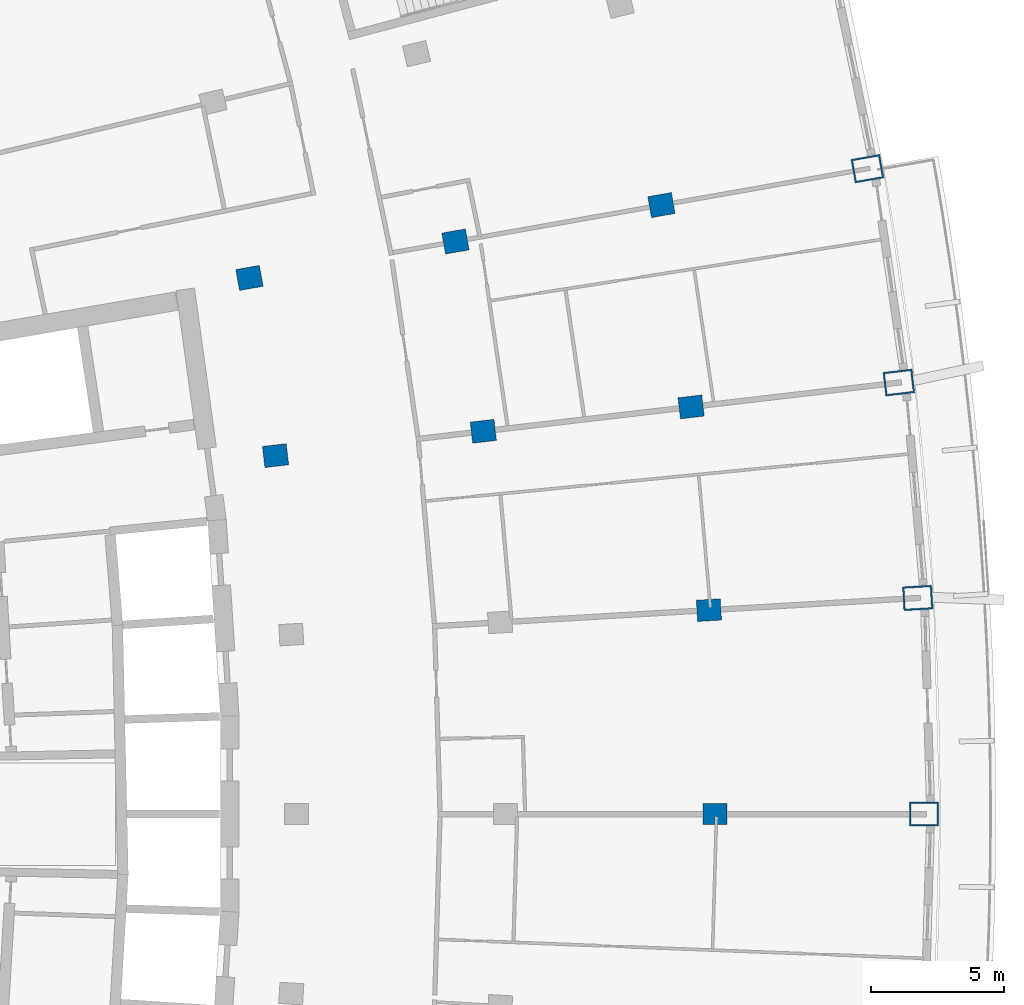
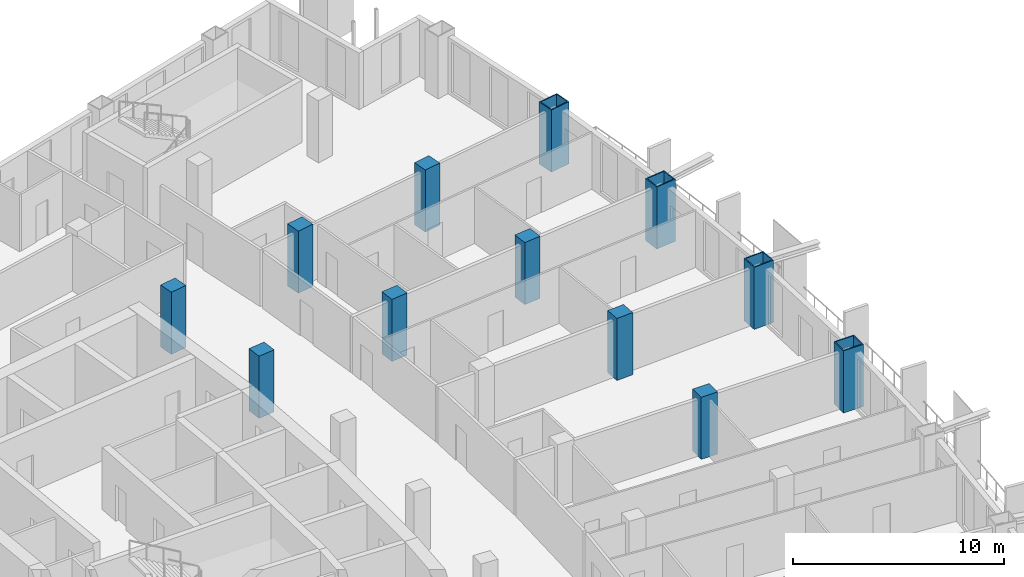
# One storey, part 6 of 20: 12 columns.
"""IFC4 building model written with IfcOpenShell, lengths in metres."""

from ifc_helpers import new_model, si_unit, direction, frame, origin, origin_2d, place, context, subcontext, project, spatial, rectangle, hollow_rectangle, extrude, material, material_profile, profile_set, type_object, element, save


model = new_model("IFC4")

# Units and contexts
model_context = context("Model", 3, precision=1e-05, world=origin(), true_north=direction((0.0, 1.0)))
body_context = subcontext(model_context, "Body", "Model", "MODEL_VIEW")
ifc_project = project(units=[si_unit("LENGTHUNIT", "METRE"), si_unit("AREAUNIT", "SQUARE_METRE"), si_unit("VOLUMEUNIT", "CUBIC_METRE"), si_unit("PLANEANGLEUNIT", "RADIAN"), si_unit("MASSUNIT", "GRAM", prefix="KILO")], contexts=[model_context])

# Site, building, storey
site_placement = place(None, origin())
site = spatial("IfcSite", under=ifc_project, at=site_placement, CompositionType="ELEMENT")
building_placement = place(site_placement, origin())
building = spatial("IfcBuilding", under=site, at=building_placement, Name="Alderwake Tower", CompositionType="ELEMENT")
storey_placement = place(building_placement, frame((0.0, 0.0, 164.0)))
storey = spatial("IfcBuildingStorey", under=building, at=storey_placement, Name="L40", CompositionType="ELEMENT", Elevation=164.0)

# Columns
ifc_material_1 = material(Name="Concrete C70/85", Category="concrete")
ifc_material_profile_1 = material_profile(ifc_material_1, rectangle(XDim=0.800048828125, YDim=0.89990234375, at=origin_2d()), Name="RC 900X800")
ifc_profile_set_1 = profile_set([ifc_material_profile_1], Name="Concrete C70/85")
column_type_1 = type_object("IfcColumnType", Name="Interior column Z3", PredefinedType="COLUMN", material=ifc_profile_set_1)
for number, where, z_axis, x_axis, name in (
    (1, (51.533203125, 61.0, 0.0), (0.0, 0.0, 1.0), (0.0, 1.0, 0.0), "Column R07-C4"),
    (2, (51.3095703125, 68.66845703125, 0.0), (0.0, 0.0, 1.0), (-0.058299318924, 0.998299148258, 0.0), "Column R08-C4"),
    (3, (35.0126953125, 74.4794921875, 0.0), (0.0, 0.0, 1.0), (-0.116402054316, 0.993202175668, 0.0), "Column R09-C2"),
    (4, (42.825927734375, 75.39501953125, 0.0), (0.0, 0.0, 1.0), (-0.116402054316, 0.993202175668, 0.0), "Column R09-C3"),
    (5, (50.63916015625, 76.310791015625, 0.0), (0.0, 0.0, 1.0), (-0.116402054316, 0.993202175668, 0.0), "Column R09-C4"),
    (6, (34.03125, 81.16162109375, 0.0), (0.0, 0.0, 1.0), (-0.174108800747, 0.984726421654, 0.0), "Column R10-C2"),
    (7, (41.77783203125, 82.531494140625, 0.0), (0.0, 0.0, 1.0), (-0.174108800747, 0.984726421654, 0.0), "Column R10-C3"),
    (8, (49.5244140625, 83.90087890625, 0.0), (0.0, 0.0, 1.0), (-0.174108800747, 0.984726421654, 0.0), "Column R10-C4"),
):
    element("IfcColumn", number, at=place(storey_placement, frame(where, z_axis=z_axis, x_axis=x_axis)), inside=storey, type_object=column_type_1, Name=name, PredefinedType="COLUMN", context=body_context, shape_type="SweptSolid", body=[
        extrude(rectangle(XDim=0.800048828125, YDim=0.89990234375, at=origin_2d()), origin(), (0.0, 0.0, 1.0), 3.60009765625),
    ])
ifc_material_2 = material(Name="Steel ASTM A572 Grade 50 concrete filled C70/85", Category="concrete")
ifc_material_profile_2 = material_profile(ifc_material_2, hollow_rectangle(XDim=0.89990234375, YDim=1.10009765625, WallThickness=0.06005859375, at=origin_2d()), Name="BOX 1100X900X60")
ifc_profile_set_2 = profile_set([ifc_material_profile_2], Name="Steel ASTM A572 Grade 50 concrete filled C70/85")
column_type_2 = type_object("IfcColumnType", Name="Perimeter column Z3", PredefinedType="COLUMN", material=ifc_profile_set_2)
for number, where, z_axis, x_axis, name in (
    (9, (59.39990234375, 61.0, 0.0), (0.0, 0.0, 1.0), (0.0, 1.0, 0.0), "Column R07-C5"),
    (10, (59.162841796875, 69.127197265625, 0.0), (0.0, 0.0, 1.0), (-0.058301061284, 0.998299046505, 0.0), "Column R08-C5"),
    (11, (58.452392578125, 77.2265625, 0.0), (0.0, 0.0, 1.0), (-0.116402054316, 0.993202175668, 0.0), "Column R09-C5"),
    (12, (57.27099609375, 85.270751953125, 0.0), (0.0, 0.0, 1.0), (-0.174108800747, 0.984726421654, 0.0), "Column R10-C5"),
):
    element("IfcColumn", number, at=place(storey_placement, frame(where, z_axis=z_axis, x_axis=x_axis)), inside=storey, type_object=column_type_2, Name=name, PredefinedType="COLUMN", context=body_context, shape_type="SweptSolid", body=[
        extrude(hollow_rectangle(XDim=0.89990234375, YDim=1.10009765625, WallThickness=0.06005859375, at=origin_2d()), origin(), (0.0, 0.0, 1.0), 3.60009765625),
    ])

save(model, "model.ifc")
